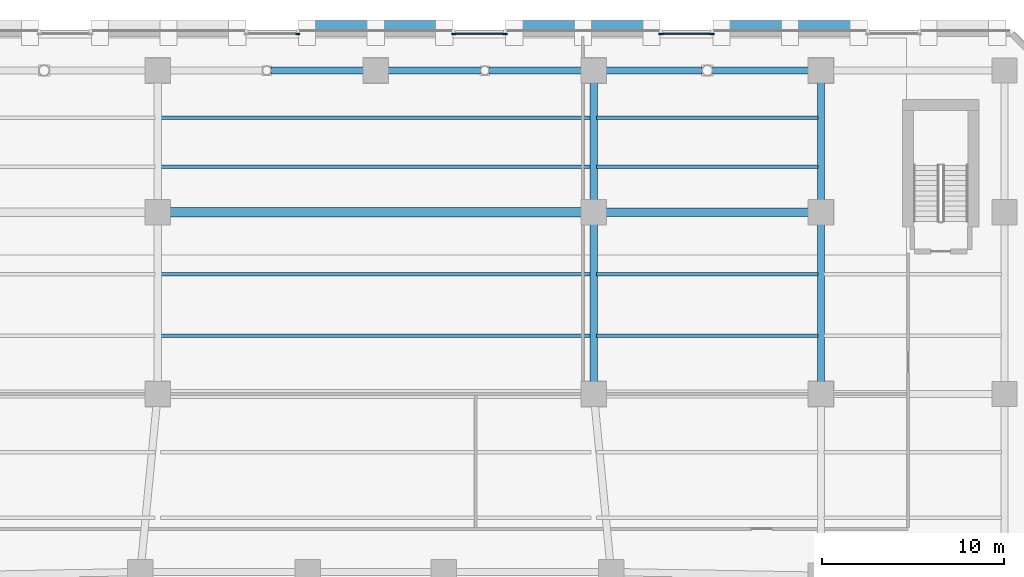
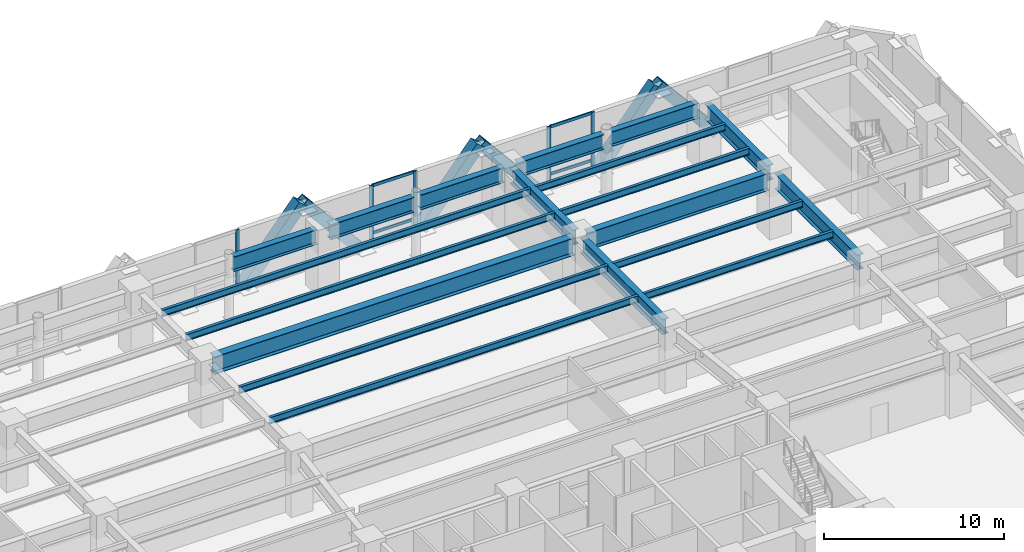
# One storey, part 9 of 26: 19 beams, 17 members, 3 elements without a shape of their own.
"""IFC4 building model written with IfcOpenShell, lengths in metres."""

from ifc_helpers import new_model, si_unit, direction, frame, origin, origin_2d, place, context, subcontext, project, spatial, rectangle, hollow_rectangle, i_section, extrude, material, material_profile, profile_set, type_object, element, aggregate, save


model = new_model("IFC4")

# Units and contexts
model_context = context("Model", 3, precision=1e-05, world=origin(), true_north=direction((0.0, 1.0)))
body_context = subcontext(model_context, "Body", "Model", "MODEL_VIEW")
ifc_project = project(units=[si_unit("LENGTHUNIT", "METRE"), si_unit("AREAUNIT", "SQUARE_METRE"), si_unit("VOLUMEUNIT", "CUBIC_METRE"), si_unit("PLANEANGLEUNIT", "RADIAN"), si_unit("MASSUNIT", "GRAM", prefix="KILO")], contexts=[model_context])

# Site, building, storey
site_placement = place(None, origin())
site = spatial("IfcSite", under=ifc_project, at=site_placement, CompositionType="ELEMENT")
building_placement = place(site_placement, origin())
building = spatial("IfcBuilding", under=site, at=building_placement, Name="Quenlor Broadcast Tower", CompositionType="ELEMENT")
storey_placement = place(building_placement, frame((0.0, 0.0, 14.0)))
storey = spatial("IfcBuildingStorey", under=building, at=storey_placement, Name="L03", CompositionType="ELEMENT", Elevation=14.0)

# Curtain wall, member
ifc_material_1 = material(Name="Architectural Terracotta and Low-E Glazing", Category="masonry")
curtain_wall_type = type_object("IfcCurtainWallType", Name="Station Concourse and Crown Terracotta Curtain Wall", PredefinedType="NOTDEFINED", material=ifc_material_1)
curtain_wall_1_placement = place(storey_placement, origin())
curtain_wall_1 = element("IfcCurtainWall", 1, at=curtain_wall_1_placement, inside=storey, type_object=curtain_wall_type, Name="L03 Curtain Wall CW6 (L03-N-FULL-G3)", PredefinedType="NOTDEFINED")
ifc_material_2 = material(Name="Aluminium 6063-T6", Category="aluminium")
ifc_material_profile_1 = material_profile(ifc_material_2, rectangle(XDim=0.08203125, YDim=0.239990234375, at=origin_2d()))
ifc_profile_set_1 = profile_set([ifc_material_profile_1], Name="Aluminium 6063-T6 MULL82x240")
member_type_1 = type_object("IfcMemberType", Name="CW6 Aluminium Mullion MULL_CW6", PredefinedType="MULLION", material=ifc_profile_set_1)
member_1_placement = place(storey_placement, frame((-4.29052734375, 24.820068359375, 0.0), z_axis=(0.0, 0.0, 1.0), x_axis=(0.0, 1.0, 0.0)))
member_1 = element("IfcMember", 2, at=member_1_placement, type_object=member_type_1, Name="CW6 mullion 2", PredefinedType="MULLION", context=body_context, shape_type="SweptSolid", body=[
    extrude(rectangle(XDim=0.08203125, YDim=0.239990234375, at=origin_2d()), origin(), (0.0, 0.0, 1.0), 4.199951171875),
])
aggregate(curtain_wall_1, [member_1])

# Curtain wall, members
curtain_wall_2_placement = place(storey_placement, origin())
curtain_wall_2 = element("IfcCurtainWall", 3, at=curtain_wall_2_placement, inside=storey, type_object=curtain_wall_type, Name="L03 Curtain Wall CW6 (L03-N-FULL-G4)", PredefinedType="NOTDEFINED")
member_2_placement = place(storey_placement, frame((4.29052734375, 24.820068359375, 0.0), z_axis=(0.0, 0.0, 1.0), x_axis=(0.0, 1.0, 0.0)))
member_2 = element("IfcMember", 4, at=member_2_placement, type_object=member_type_1, Name="CW6 mullion 1", PredefinedType="MULLION", context=body_context, shape_type="SweptSolid", body=[
    extrude(rectangle(XDim=0.08203125, YDim=0.239990234375, at=origin_2d()), origin(), (0.0, 0.0, 1.0), 4.199951171875),
])
member_3_placement = place(storey_placement, frame((7.109619140625, 24.820068359375, 0.0), z_axis=(0.0, 0.0, 1.0), x_axis=(0.0, 1.0, 0.0)))
member_3 = element("IfcMember", 5, at=member_3_placement, type_object=member_type_1, Name="CW6 mullion 2", PredefinedType="MULLION", context=body_context, shape_type="SweptSolid", body=[
    extrude(rectangle(XDim=0.08203125, YDim=0.239990234375, at=origin_2d()), origin(), (0.0, 0.0, 1.0), 4.199951171875),
])

curtain_wall_3_placement = place(storey_placement, origin())
curtain_wall_3 = element("IfcCurtainWall", 6, at=curtain_wall_3_placement, inside=storey, type_object=curtain_wall_type, Name="L03 Curtain Wall CW6 (L03-N-FULL-G5)", PredefinedType="NOTDEFINED")
member_4_placement = place(storey_placement, frame((15.6904296875, 24.820068359375, 0.0), z_axis=(0.0, 0.0, 1.0), x_axis=(0.0, 1.0, 0.0)))
member_4 = element("IfcMember", 7, at=member_4_placement, type_object=member_type_1, Name="CW6 mullion 1", PredefinedType="MULLION", context=body_context, shape_type="SweptSolid", body=[
    extrude(rectangle(XDim=0.08203125, YDim=0.239990234375, at=origin_2d()), origin(), (0.0, 0.0, 1.0), 4.199951171875),
])
member_5_placement = place(storey_placement, frame((18.509521484375, 24.820068359375, 0.0), z_axis=(0.0, 0.0, 1.0), x_axis=(0.0, 1.0, 0.0)))
member_5 = element("IfcMember", 8, at=member_5_placement, type_object=member_type_1, Name="CW6 mullion 2", PredefinedType="MULLION", context=body_context, shape_type="SweptSolid", body=[
    extrude(rectangle(XDim=0.08203125, YDim=0.239990234375, at=origin_2d()), origin(), (0.0, 0.0, 1.0), 4.199951171875),
])

# Member
ifc_material_3 = material(Name="Aluminium 6063-T6", Category="aluminium")
ifc_material_profile_2 = material_profile(ifc_material_3, rectangle(XDim=0.08203125, YDim=0.195068359375, at=origin_2d()))
ifc_profile_set_2 = profile_set([ifc_material_profile_2], Name="Aluminium 6063-T6 TRAN82x195")
member_type_2 = type_object("IfcMemberType", Name="CW6 Aluminium Transom TRAN_CW6", PredefinedType="USERDEFINED", material=ifc_profile_set_2)
member_6_placement = place(storey_placement, frame((4.33154296875, 24.820068359375, 0.041015625), z_axis=(1.0, 0.0, 0.0), x_axis=(0.0, 1.0, 0.0)))
member_6 = element("IfcMember", 9, at=member_6_placement, type_object=member_type_2, Name="CW6 transom 1.1", ObjectType="TRANSOM", PredefinedType="USERDEFINED", context=body_context, shape_type="SweptSolid", body=[
    extrude(rectangle(XDim=0.08203125, YDim=0.195068359375, at=origin_2d()), origin(), (0.0, 0.0, 1.0), 2.737060546875),
])

member_7_placement = place(storey_placement, frame((4.33154296875, 24.820068359375, 0.949951171875), z_axis=(1.0, 0.0, 0.0), x_axis=(0.0, 1.0, 0.0)))
member_7 = element("IfcMember", 10, at=member_7_placement, type_object=member_type_2, Name="CW6 transom 1.2", ObjectType="TRANSOM", PredefinedType="USERDEFINED", context=body_context, shape_type="SweptSolid", body=[
    extrude(rectangle(XDim=0.08203125, YDim=0.195068359375, at=origin_2d()), origin(), (0.0, 0.0, 1.0), 2.737060546875),
])

member_8_placement = place(storey_placement, frame((4.33154296875, 24.820068359375, 4.158935546875), z_axis=(1.0, 0.0, 0.0), x_axis=(0.0, 1.0, 0.0)))
member_8 = element("IfcMember", 11, at=member_8_placement, type_object=member_type_2, Name="CW6 transom 1.3", ObjectType="TRANSOM", PredefinedType="USERDEFINED", context=body_context, shape_type="SweptSolid", body=[
    extrude(rectangle(XDim=0.08203125, YDim=0.195068359375, at=origin_2d()), origin(), (0.0, 0.0, 1.0), 2.737060546875),
])

aggregate(curtain_wall_2, [member_2, member_3, member_6, member_7, member_8])

member_9_placement = place(storey_placement, frame((15.7314453125, 24.820068359375, 0.041015625), z_axis=(1.0, 0.0, 0.0), x_axis=(0.0, 1.0, 0.0)))
member_9 = element("IfcMember", 12, at=member_9_placement, type_object=member_type_2, Name="CW6 transom 1.1", ObjectType="TRANSOM", PredefinedType="USERDEFINED", context=body_context, shape_type="SweptSolid", body=[
    extrude(rectangle(XDim=0.08203125, YDim=0.195068359375, at=origin_2d()), origin(), (0.0, 0.0, 1.0), 2.737060546875),
])

member_10_placement = place(storey_placement, frame((15.7314453125, 24.820068359375, 0.949951171875), z_axis=(1.0, 0.0, 0.0), x_axis=(0.0, 1.0, 0.0)))
member_10 = element("IfcMember", 13, at=member_10_placement, type_object=member_type_2, Name="CW6 transom 1.2", ObjectType="TRANSOM", PredefinedType="USERDEFINED", context=body_context, shape_type="SweptSolid", body=[
    extrude(rectangle(XDim=0.08203125, YDim=0.195068359375, at=origin_2d()), origin(), (0.0, 0.0, 1.0), 2.737060546875),
])

member_11_placement = place(storey_placement, frame((15.7314453125, 24.820068359375, 4.158935546875), z_axis=(1.0, 0.0, 0.0), x_axis=(0.0, 1.0, 0.0)))
member_11 = element("IfcMember", 14, at=member_11_placement, type_object=member_type_2, Name="CW6 transom 1.3", ObjectType="TRANSOM", PredefinedType="USERDEFINED", context=body_context, shape_type="SweptSolid", body=[
    extrude(rectangle(XDim=0.08203125, YDim=0.195068359375, at=origin_2d()), origin(), (0.0, 0.0, 1.0), 2.737060546875),
])

aggregate(curtain_wall_3, [member_4, member_5, member_9, member_10, member_11])

# Members
ifc_material_4 = material(Name="Steel S355", Category="steel")
ifc_material_profile_3 = material_profile(ifc_material_4, hollow_rectangle(XDim=0.679931640625, YDim=0.679931640625, WallThickness=0.034912109375, at=origin_2d()))
ifc_profile_set_3 = profile_set([ifc_material_profile_3], Name="Steel S355 RHS680x680x35")
member_type_3 = type_object("IfcMemberType", Name="Perimeter Diagonal Lattice Brace Z1 Steel S355 RHS680x35", PredefinedType="BRACE", material=ifc_profile_set_3)
for number, where, z_axis, x_axis, name in (
    (15, (-3.777099609375, 25.215087890625, -0.1201171875), (0.640626831312, 0.0, 0.767852370578), (0.0, 1.0, 0.0), "L03 Podium Diamond Lattice N-P3S"),
    (16, (7.622802734375, 25.215087890625, -0.1201171875), (0.640626831312, 0.0, 0.767852370578), (0.0, 1.0, 0.0), "L03 Podium Diamond Lattice N-P4S"),
    (17, (3.777099609375, 25.215087890625, -0.1201171875), (-0.640626831312, 0.0, 0.767852370578), (0.0, -1.0, 0.0), "L03 Podium Diamond Lattice N-P4B"),
    (18, (19.022705078125, 25.215087890625, -0.1201171875), (0.640626831312, 0.0, 0.767852370578), (0.0, 1.0, 0.0), "L03 Podium Diamond Lattice N-P5S"),
    (19, (15.17724609375, 25.215087890625, -0.1201171875), (-0.640626831312, 0.0, 0.767852370578), (0.0, -1.0, 0.0), "L03 Podium Diamond Lattice N-P5B"),
    (20, (26.5771484375, 25.215087890625, -0.1201171875), (-0.640626831312, 0.0, 0.767852370578), (0.0, -1.0, 0.0), "L03 Podium Diamond Lattice N-P6B"),
):
    element("IfcMember", number, at=place(storey_placement, frame(where, z_axis=z_axis, x_axis=x_axis)), inside=storey, type_object=member_type_3, Name=name, PredefinedType="BRACE", context=body_context, shape_type="SweptSolid", body=[
        extrude(hollow_rectangle(XDim=0.679931640625, YDim=0.679931640625, WallThickness=0.034912109375, at=origin_2d()), origin(), (0.0, 0.0, 1.0), 5.860595703125),
    ])

# Beams
ifc_material_5 = material(Name="Steel S355", Category="steel")
ifc_material_profile_4 = material_profile(ifc_material_5, i_section(OverallWidth=0.39990234375, OverallDepth=1.02392578125, WebThickness=0.01611328125, FlangeThickness=0.031982421875, FilletRadius=0.01611328125, at=origin_2d()))
ifc_profile_set_4 = profile_set([ifc_material_profile_4], Name="Steel S355 1000WB322")
beam_type_1 = type_object("IfcBeamType", Name="Podium Concourse Girder Steel S355 1000WB322", PredefinedType="BEAM", material=ifc_profile_set_4)
for number, where, z_axis, x_axis, name in (
    (21, (-5.76611328125, 22.800048828125, 3.68798828125), (1.0, 0.0, 0.0), (0.0, 1.0, 0.0), "L03 Podium Girder 28"),
    (22, (0.419921875, 22.800048828125, 3.68798828125), (1.0, 0.0, 0.0), (0.0, 1.0, 0.0), "L03 Podium Girder 29"),
    (23, (6.23388671875, 22.800048828125, 3.68798828125), (1.0, 0.0, 0.0), (0.0, 1.0, 0.0), "L03 Podium Girder 30"),
):
    element("IfcBeam", number, at=place(storey_placement, frame(where, z_axis=z_axis, x_axis=x_axis)), inside=storey, type_object=beam_type_1, Name=name, PredefinedType="BEAM", context=body_context, shape_type="SweptSolid", body=[
        extrude(i_section(OverallWidth=0.39990234375, OverallDepth=1.02392578125, WebThickness=0.01611328125, FlangeThickness=0.031982421875, FilletRadius=0.01611328125, at=origin_2d()), origin(), (0.0, 0.0, 1.0), 5.34619140625),
    ])
for number, where, z_axis, x_axis, name in (
    (24, (12.419921875, 22.800048828125, 3.68798828125), (1.0, 0.0, 0.0), (0.0, 1.0, 0.0), "L03 Podium Girder 31"),
    (25, (18.534912109375, 22.800048828125, 3.68798828125), (1.0, 0.0, 0.0), (0.0, 1.0, 0.0), "L03 Podium Girder 32"),
):
    element("IfcBeam", number, at=place(storey_placement, frame(where, z_axis=z_axis, x_axis=x_axis)), inside=storey, type_object=beam_type_1, Name=name, PredefinedType="BEAM", context=body_context, shape_type="SweptSolid", body=[
        extrude(i_section(OverallWidth=0.39990234375, OverallDepth=1.02392578125, WebThickness=0.01611328125, FlangeThickness=0.031982421875, FilletRadius=0.01611328125, at=origin_2d()), origin(), (0.0, 0.0, 1.0), 5.545166015625),
    ])
beam_1_placement = place(storey_placement, frame((24.5, 5.419921875, 3.68798828125), z_axis=(0.0, 1.0, 0.0), x_axis=(-1.0, 0.0, 0.0)))
element("IfcBeam", 26, at=beam_1_placement, inside=storey, type_object=beam_type_1, Name="L03 Podium Girder 47", PredefinedType="BEAM", context=body_context, shape_type="SweptSolid", body=[
    extrude(i_section(OverallWidth=0.39990234375, OverallDepth=1.02392578125, WebThickness=0.01611328125, FlangeThickness=0.031982421875, FilletRadius=0.01611328125, at=origin_2d()), origin(), (0.0, 0.0, 1.0), 9.16015625),
])
beam_2_placement = place(storey_placement, frame((24.5, 15.419921875, 3.68798828125), z_axis=(0.0, 1.0, 0.0), x_axis=(-1.0, 0.0, 0.0)))
element("IfcBeam", 27, at=beam_2_placement, inside=storey, type_object=beam_type_1, Name="L03 Podium Girder 48", PredefinedType="BEAM", context=body_context, shape_type="SweptSolid", body=[
    extrude(i_section(OverallWidth=0.39990234375, OverallDepth=1.02392578125, WebThickness=0.01611328125, FlangeThickness=0.031982421875, FilletRadius=0.01611328125, at=origin_2d()), origin(), (0.0, 0.0, 1.0), 6.9599609375),
])
beam_3_placement = place(storey_placement, frame((12.0, 5.419921875, 3.68798828125), z_axis=(0.0, 1.0, 0.0), x_axis=(-1.0, 0.0, 0.0)))
element("IfcBeam", 28, at=beam_3_placement, inside=storey, type_object=beam_type_1, Name="L03 Podium Girder 56", PredefinedType="BEAM", context=body_context, shape_type="SweptSolid", body=[
    extrude(i_section(OverallWidth=0.39990234375, OverallDepth=1.02392578125, WebThickness=0.01611328125, FlangeThickness=0.031982421875, FilletRadius=0.01611328125, at=origin_2d()), origin(), (0.0, 0.0, 1.0), 9.16015625),
])
beam_4_placement = place(storey_placement, frame((12.0, 15.419921875, 3.68798828125), z_axis=(0.0, 1.0, 0.0), x_axis=(-1.0, 0.0, 0.0)))
element("IfcBeam", 29, at=beam_4_placement, inside=storey, type_object=beam_type_1, Name="L03 Podium Girder 57", PredefinedType="BEAM", context=body_context, shape_type="SweptSolid", body=[
    extrude(i_section(OverallWidth=0.39990234375, OverallDepth=1.02392578125, WebThickness=0.01611328125, FlangeThickness=0.031982421875, FilletRadius=0.01611328125, at=origin_2d()), origin(), (0.0, 0.0, 1.0), 6.9599609375),
])
ifc_material_6 = material(Name="Steel S355", Category="steel")
ifc_material_profile_5 = material_profile(ifc_material_6, i_section(OverallWidth=0.18994140625, OverallDepth=0.453857421875, WebThickness=0.008544921875, FlangeThickness=0.0126953125, FilletRadius=0.011474609375, at=origin_2d()))
ifc_profile_set_5 = profile_set([ifc_material_profile_5], Name="Steel S355 460UB67.1")
beam_type_2 = type_object("IfcBeamType", Name="Podium Floor Joist Steel S355 460UB67.1", PredefinedType="JOIST", material=ifc_profile_set_5)
beam_5_placement = place(storey_placement, frame((-11.840087890625, 8.199951171875, 3.97314453125), z_axis=(1.0, 0.0, 0.0), x_axis=(0.0, 1.0, 0.0)))
element("IfcBeam", 30, at=beam_5_placement, inside=storey, type_object=beam_type_2, Name="L03 Podium Floor Joist 3", PredefinedType="JOIST", context=body_context, shape_type="SweptSolid", body=[
    extrude(i_section(OverallWidth=0.18994140625, OverallDepth=0.453857421875, WebThickness=0.008544921875, FlangeThickness=0.0126953125, FilletRadius=0.011474609375, at=origin_2d()), origin(), (0.0, 0.0, 1.0), 23.68017578125),
])
beam_6_placement = place(storey_placement, frame((12.159912109375, 8.199951171875, 3.97314453125), z_axis=(1.0, 0.0, 0.0), x_axis=(0.0, 1.0, 0.0)))
element("IfcBeam", 31, at=beam_6_placement, inside=storey, type_object=beam_type_2, Name="L03 Podium Floor Joist 4", PredefinedType="JOIST", context=body_context, shape_type="SweptSolid", body=[
    extrude(i_section(OverallWidth=0.18994140625, OverallDepth=0.453857421875, WebThickness=0.008544921875, FlangeThickness=0.0126953125, FilletRadius=0.011474609375, at=origin_2d()), origin(), (0.0, 0.0, 1.0), 12.18017578125),
])
beam_7_placement = place(storey_placement, frame((-11.840087890625, 11.60009765625, 3.97314453125), z_axis=(1.0, 0.0, 0.0), x_axis=(0.0, 1.0, 0.0)))
element("IfcBeam", 32, at=beam_7_placement, inside=storey, type_object=beam_type_2, Name="L03 Podium Floor Joist 8", PredefinedType="JOIST", context=body_context, shape_type="SweptSolid", body=[
    extrude(i_section(OverallWidth=0.18994140625, OverallDepth=0.453857421875, WebThickness=0.008544921875, FlangeThickness=0.0126953125, FilletRadius=0.011474609375, at=origin_2d()), origin(), (0.0, 0.0, 1.0), 23.68017578125),
])
beam_8_placement = place(storey_placement, frame((12.159912109375, 11.60009765625, 3.97314453125), z_axis=(1.0, 0.0, 0.0), x_axis=(0.0, 1.0, 0.0)))
element("IfcBeam", 33, at=beam_8_placement, inside=storey, type_object=beam_type_2, Name="L03 Podium Floor Joist 9", PredefinedType="JOIST", context=body_context, shape_type="SweptSolid", body=[
    extrude(i_section(OverallWidth=0.18994140625, OverallDepth=0.453857421875, WebThickness=0.008544921875, FlangeThickness=0.0126953125, FilletRadius=0.011474609375, at=origin_2d()), origin(), (0.0, 0.0, 1.0), 12.18017578125),
])
beam_9_placement = place(storey_placement, frame((-11.840087890625, 17.5, 3.97314453125), z_axis=(1.0, 0.0, 0.0), x_axis=(0.0, 1.0, 0.0)))
element("IfcBeam", 34, at=beam_9_placement, inside=storey, type_object=beam_type_2, Name="L03 Podium Floor Joist 13", PredefinedType="JOIST", context=body_context, shape_type="SweptSolid", body=[
    extrude(i_section(OverallWidth=0.18994140625, OverallDepth=0.453857421875, WebThickness=0.008544921875, FlangeThickness=0.0126953125, FilletRadius=0.011474609375, at=origin_2d()), origin(), (0.0, 0.0, 1.0), 23.68017578125),
])
beam_10_placement = place(storey_placement, frame((12.159912109375, 17.5, 3.97314453125), z_axis=(1.0, 0.0, 0.0), x_axis=(0.0, 1.0, 0.0)))
element("IfcBeam", 35, at=beam_10_placement, inside=storey, type_object=beam_type_2, Name="L03 Podium Floor Joist 14", PredefinedType="JOIST", context=body_context, shape_type="SweptSolid", body=[
    extrude(i_section(OverallWidth=0.18994140625, OverallDepth=0.453857421875, WebThickness=0.008544921875, FlangeThickness=0.0126953125, FilletRadius=0.011474609375, at=origin_2d()), origin(), (0.0, 0.0, 1.0), 12.18017578125),
])
beam_11_placement = place(storey_placement, frame((-11.840087890625, 20.199951171875, 3.97314453125), z_axis=(1.0, 0.0, 0.0), x_axis=(0.0, 1.0, 0.0)))
element("IfcBeam", 36, at=beam_11_placement, inside=storey, type_object=beam_type_2, Name="L03 Podium Floor Joist 18", PredefinedType="JOIST", context=body_context, shape_type="SweptSolid", body=[
    extrude(i_section(OverallWidth=0.18994140625, OverallDepth=0.453857421875, WebThickness=0.008544921875, FlangeThickness=0.0126953125, FilletRadius=0.011474609375, at=origin_2d()), origin(), (0.0, 0.0, 1.0), 23.68017578125),
])
beam_12_placement = place(storey_placement, frame((12.159912109375, 20.199951171875, 3.97314453125), z_axis=(1.0, 0.0, 0.0), x_axis=(0.0, 1.0, 0.0)))
element("IfcBeam", 37, at=beam_12_placement, inside=storey, type_object=beam_type_2, Name="L03 Podium Floor Joist 19", PredefinedType="JOIST", context=body_context, shape_type="SweptSolid", body=[
    extrude(i_section(OverallWidth=0.18994140625, OverallDepth=0.453857421875, WebThickness=0.008544921875, FlangeThickness=0.0126953125, FilletRadius=0.011474609375, at=origin_2d()), origin(), (0.0, 0.0, 1.0), 12.18017578125),
])
ifc_material_7 = material(Name="Steel S355", Category="steel")
ifc_material_profile_6 = material_profile(ifc_material_7, i_section(OverallWidth=0.5, OverallDepth=1.199951171875, WebThickness=0.02001953125, FlangeThickness=0.035888671875, FilletRadius=0.01611328125, at=origin_2d()))
ifc_profile_set_6 = profile_set([ifc_material_profile_6], Name="Steel S355 1200WB455")
beam_type_3 = type_object("IfcBeamType", Name="Podium Long Span Studio Girder Steel S355 1200WB455", PredefinedType="BEAM", material=ifc_profile_set_6)
beam_13_placement = place(storey_placement, frame((-11.580078125, 15.0, 3.60009765625), z_axis=(1.0, 0.0, 0.0), x_axis=(0.0, 1.0, 0.0)))
element("IfcBeam", 38, at=beam_13_placement, inside=storey, type_object=beam_type_3, Name="L03 Podium Girder 21", PredefinedType="BEAM", context=body_context, shape_type="SweptSolid", body=[
    extrude(i_section(OverallWidth=0.5, OverallDepth=1.199951171875, WebThickness=0.02001953125, FlangeThickness=0.035888671875, FilletRadius=0.01611328125, at=origin_2d()), origin(), (0.0, 0.0, 1.0), 23.16015625),
])
ifc_material_8 = material(Name="Steel S355", Category="steel")
ifc_material_profile_7 = material_profile(ifc_material_8, i_section(OverallWidth=0.449951171875, OverallDepth=1.18798828125, WebThickness=0.01806640625, FlangeThickness=0.031982421875, FilletRadius=0.01611328125, at=origin_2d()))
ifc_profile_set_7 = profile_set([ifc_material_profile_7], Name="Steel S355 1200WB392")
beam_type_4 = type_object("IfcBeamType", Name="Podium Secondary Studio Girder Steel S355 1200WB392", PredefinedType="BEAM", material=ifc_profile_set_7)
beam_14_placement = place(storey_placement, frame((12.419921875, 15.0, 3.60595703125), z_axis=(1.0, 0.0, 0.0), x_axis=(0.0, 1.0, 0.0)))
element("IfcBeam", 39, at=beam_14_placement, inside=storey, type_object=beam_type_4, Name="L03 Podium Girder 22", PredefinedType="BEAM", context=body_context, shape_type="SweptSolid", body=[
    extrude(i_section(OverallWidth=0.449951171875, OverallDepth=1.18798828125, WebThickness=0.01806640625, FlangeThickness=0.031982421875, FilletRadius=0.01611328125, at=origin_2d()), origin(), (0.0, 0.0, 1.0), 11.66015625),
])

save(model, "model.ifc")
